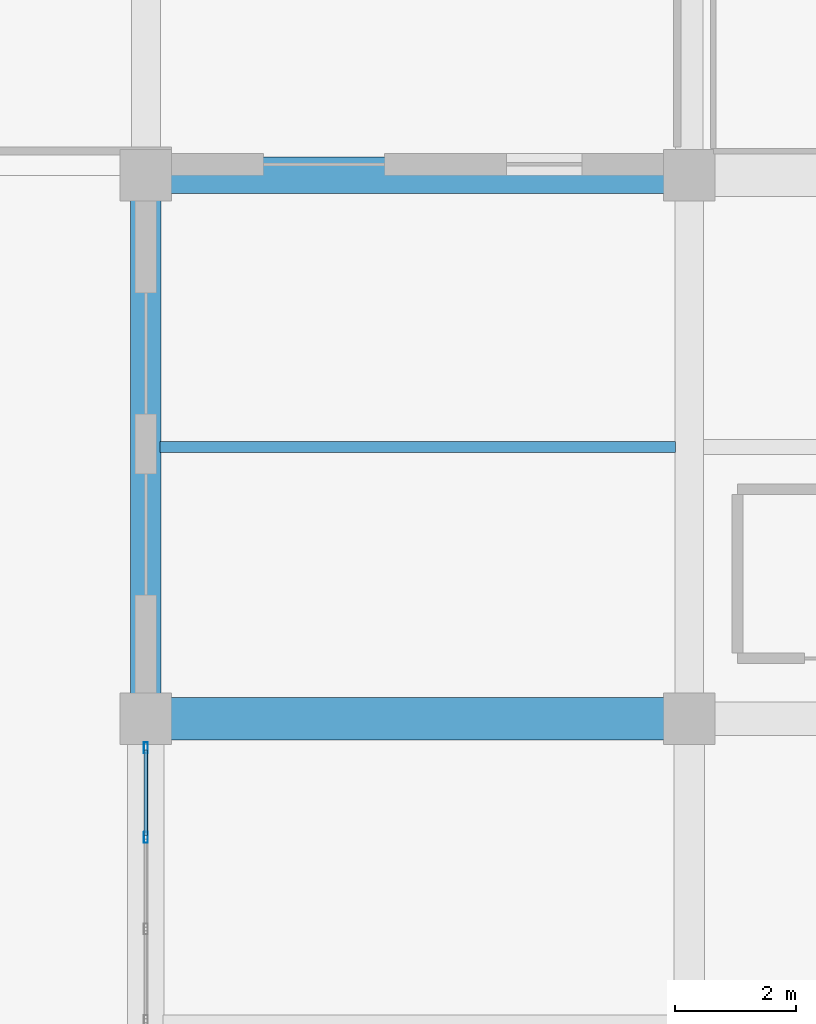
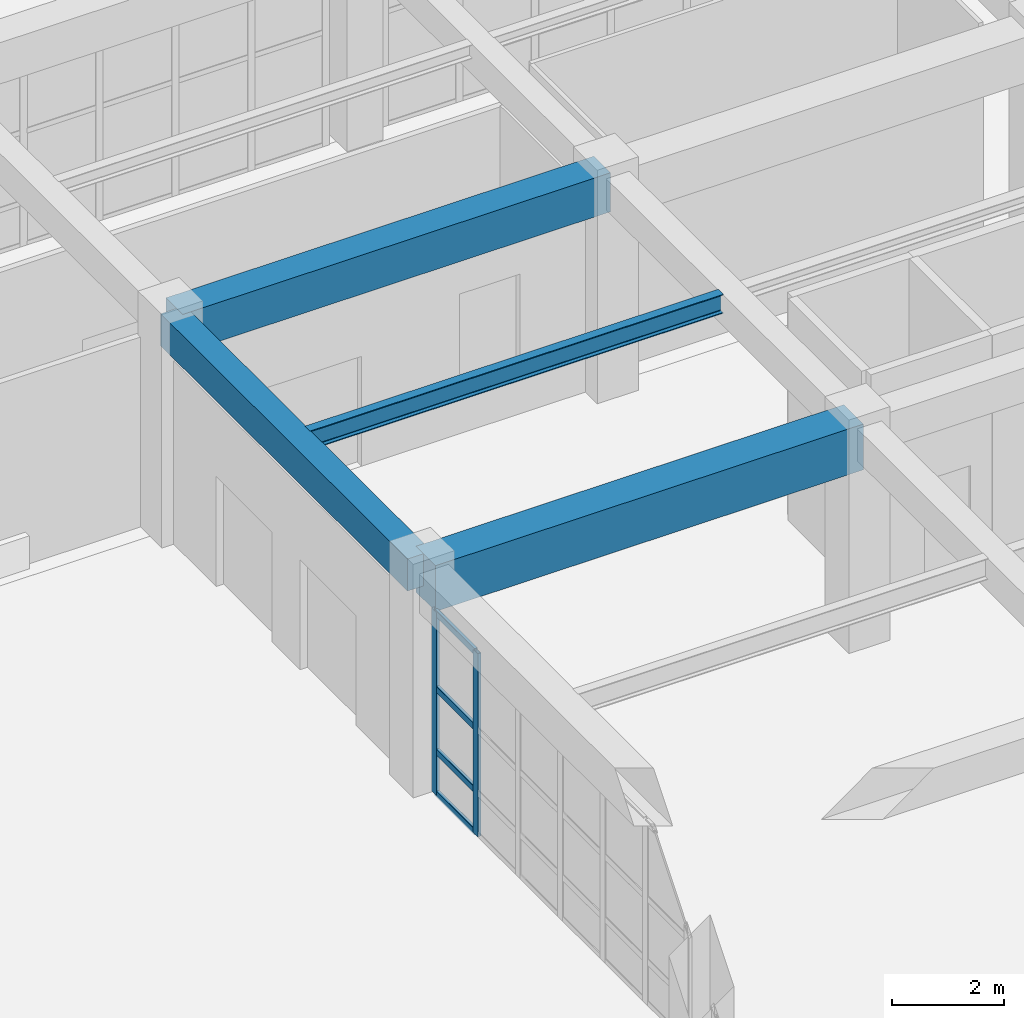
# One storey, part 47 of 128: 6 members, 4 beams, 1 element without a shape of its own.
"""IFC4 building model written with IfcOpenShell, lengths in metres."""

from ifc_helpers import new_model, si_unit, direction, frame, origin, origin_2d, place, context, subcontext, project, spatial, rectangle, hollow_rectangle, i_section, extrude, material, material_profile, profile_set, type_object, element, aggregate, save


model = new_model("IFC4")

# Units and contexts
model_context = context("Model", 3, precision=1e-05, world=origin(), true_north=direction((0.0, 1.0)))
body_context = subcontext(model_context, "Body", "Model", "MODEL_VIEW")
ifc_project = project(units=[si_unit("LENGTHUNIT", "METRE"), si_unit("AREAUNIT", "SQUARE_METRE"), si_unit("VOLUMEUNIT", "CUBIC_METRE"), si_unit("PLANEANGLEUNIT", "RADIAN"), si_unit("MASSUNIT", "GRAM", prefix="KILO")], contexts=[model_context])

# Site, building, storey
site_placement = place(None, origin())
site = spatial("IfcSite", under=ifc_project, at=site_placement, CompositionType="ELEMENT")
building_placement = place(site_placement, origin())
building = spatial("IfcBuilding", under=site, at=building_placement, Name="Miravela Opera House", CompositionType="ELEMENT")
storey_placement = place(building_placement, origin())
storey = spatial("IfcBuildingStorey", under=building, at=storey_placement, Name="L00", CompositionType="ELEMENT", Elevation=0.0)

# Curtain wall, members
ifc_material_1 = material(Name="Anodised architectural bronze aluminium 6063-T6", Category="aluminium")
curtain_wall_type = type_object("IfcCurtainWallType", Name="ARC-CW-01", PredefinedType="NOTDEFINED", material=ifc_material_1)
curtain_wall_placement = place(storey_placement, origin())
curtain_wall = element("IfcCurtainWall", 1, at=curtain_wall_placement, inside=storey, type_object=curtain_wall_type, Name="West Foyer Recessed Glazing North CW-L00-002", PredefinedType="NOTDEFINED")
ifc_material_profile_1 = material_profile(ifc_material_1, hollow_rectangle(XDim=0.06494140625, YDim=0.179931640625, WallThickness=0.00390625, InnerFilletRadius=0.001953125, OuterFilletRadius=0.00390625, at=origin_2d()), Name="CWM-65X180")
ifc_profile_set_1 = profile_set([ifc_material_profile_1])
member_type_1 = type_object("IfcMemberType", Name="ARC-CWM-180", PredefinedType="MULLION", material=ifc_profile_set_1)
member_1_placement = place(storey_placement, frame((27.0, 64.033447265625, 0.0), z_axis=(0.0, 0.0, 1.0), x_axis=(-1.0, 0.0, 0.0)))
member_1 = element("IfcMember", 2, at=member_1_placement, type_object=member_type_1, Name="CW-01 mullion 6", PredefinedType="MULLION", context=body_context, shape_type="SweptSolid", body=[
    extrude(hollow_rectangle(XDim=0.06494140625, YDim=0.179931640625, WallThickness=0.00390625, InnerFilletRadius=0.001953125, OuterFilletRadius=0.00390625, at=origin_2d()), origin(), (0.0, 0.0, 1.0), 4.0),
])
member_2_placement = place(storey_placement, frame((27.0, 65.517578125, 0.0), z_axis=(0.0, 0.0, 1.0), x_axis=(-1.0, 0.0, 0.0)))
member_2 = element("IfcMember", 3, at=member_2_placement, type_object=member_type_1, Name="CW-01 mullion 7", PredefinedType="MULLION", context=body_context, shape_type="SweptSolid", body=[
    extrude(hollow_rectangle(XDim=0.06494140625, YDim=0.179931640625, WallThickness=0.00390625, InnerFilletRadius=0.001953125, OuterFilletRadius=0.00390625, at=origin_2d()), origin(), (0.0, 0.0, 1.0), 4.0),
])
ifc_material_profile_2 = material_profile(ifc_material_1, hollow_rectangle(XDim=0.06494140625, YDim=0.139892578125, WallThickness=0.00390625, InnerFilletRadius=0.001953125, OuterFilletRadius=0.00390625, at=origin_2d()), Name="CWT-65X140")
ifc_profile_set_2 = profile_set([ifc_material_profile_2])
member_type_2 = type_object("IfcMemberType", Name="ARC-CWT-140", PredefinedType="USERDEFINED", material=ifc_profile_set_2)
member_3_placement = place(storey_placement, frame((27.0, 64.06591796875, 0.032470703125), z_axis=(0.0, 1.0, 0.0), x_axis=(-1.0, 0.0, 0.0)))
member_3 = element("IfcMember", 4, at=member_3_placement, type_object=member_type_2, Name="CW-01 transom 6.1", ObjectType="TRANSOM", PredefinedType="USERDEFINED", context=body_context, shape_type="SweptSolid", body=[
    extrude(hollow_rectangle(XDim=0.06494140625, YDim=0.139892578125, WallThickness=0.00390625, InnerFilletRadius=0.001953125, OuterFilletRadius=0.00390625, at=origin_2d()), origin(), (0.0, 0.0, 1.0), 1.419189453125),
])
member_4_placement = place(storey_placement, frame((27.0, 64.06591796875, 0.949951171875), z_axis=(0.0, 1.0, 0.0), x_axis=(-1.0, 0.0, 0.0)))
member_4 = element("IfcMember", 5, at=member_4_placement, type_object=member_type_2, Name="CW-01 transom 6.2", ObjectType="TRANSOM", PredefinedType="USERDEFINED", context=body_context, shape_type="SweptSolid", body=[
    extrude(hollow_rectangle(XDim=0.06494140625, YDim=0.139892578125, WallThickness=0.00390625, InnerFilletRadius=0.001953125, OuterFilletRadius=0.00390625, at=origin_2d()), origin(), (0.0, 0.0, 1.0), 1.419189453125),
])
member_5_placement = place(storey_placement, frame((27.0, 64.06591796875, 2.320068359375), z_axis=(0.0, 1.0, 0.0), x_axis=(-1.0, 0.0, 0.0)))
member_5 = element("IfcMember", 6, at=member_5_placement, type_object=member_type_2, Name="CW-01 transom 6.3", ObjectType="TRANSOM", PredefinedType="USERDEFINED", context=body_context, shape_type="SweptSolid", body=[
    extrude(hollow_rectangle(XDim=0.06494140625, YDim=0.139892578125, WallThickness=0.00390625, InnerFilletRadius=0.001953125, OuterFilletRadius=0.00390625, at=origin_2d()), origin(), (0.0, 0.0, 1.0), 1.419189453125),
])
member_6_placement = place(storey_placement, frame((27.0, 64.06591796875, 3.967529296875), z_axis=(0.0, 1.0, 0.0), x_axis=(-1.0, 0.0, 0.0)))
member_6 = element("IfcMember", 7, at=member_6_placement, type_object=member_type_2, Name="CW-01 transom 6.4", ObjectType="TRANSOM", PredefinedType="USERDEFINED", context=body_context, shape_type="SweptSolid", body=[
    extrude(hollow_rectangle(XDim=0.06494140625, YDim=0.139892578125, WallThickness=0.00390625, InnerFilletRadius=0.001953125, OuterFilletRadius=0.00390625, at=origin_2d()), origin(), (0.0, 0.0, 1.0), 1.419189453125),
])
aggregate(curtain_wall, [member_1, member_2, member_3, member_4, member_5, member_6])

# Beams
ifc_material_2 = material(Name="Concrete C35/45", Category="concrete")
ifc_material_profile_3 = material_profile(ifc_material_2, rectangle(XDim=0.5, YDim=0.699951171875, at=origin_2d()), Name="RC-BM-500X700")
ifc_profile_set_3 = profile_set([ifc_material_profile_3])
beam_type_1 = type_object("IfcBeamType", Name="STR-BM-RC500X700", PredefinedType="BEAM", material=ifc_profile_set_3)
beam_1_placement = place(storey_placement, frame((27.0, 66.080078125, 4.5), z_axis=(0.0, 1.0, 0.0), x_axis=(-1.0, 0.0, 0.0)))
element("IfcBeam", 8, at=beam_1_placement, inside=storey, type_object=beam_type_1, Name="Floor Girder L00 4/H-I", PredefinedType="BEAM", context=body_context, shape_type="SweptSolid", body=[
    extrude(rectangle(XDim=0.5, YDim=0.699951171875, at=origin_2d()), origin(), (0.0, 0.0, 1.0), 8.83984375),
])
ifc_material_3 = material(Name="Concrete C40/50", Category="concrete")
ifc_material_profile_4 = material_profile(ifc_material_3, rectangle(XDim=0.60009765625, YDim=0.85009765625, at=origin_2d()), Name="RC-BM-600X850")
ifc_profile_set_4 = profile_set([ifc_material_profile_4])
beam_type_2 = type_object("IfcBeamType", Name="STR-BM-RC600X850", PredefinedType="BEAM", material=ifc_profile_set_4)
beam_2_placement = place(storey_placement, frame((27.080078125, 75.0, 4.425048828125), z_axis=(1.0, 0.0, 0.0), x_axis=(0.0, 1.0, 0.0)))
element("IfcBeam", 9, at=beam_2_placement, inside=storey, type_object=beam_type_2, Name="Floor Girder L00 4-5/I", PredefinedType="BEAM", context=body_context, shape_type="SweptSolid", body=[
    extrude(rectangle(XDim=0.60009765625, YDim=0.85009765625, at=origin_2d()), origin(), (0.0, 0.0, 1.0), 8.83984375),
])
ifc_material_profile_5 = material_profile(ifc_material_3, rectangle(XDim=0.699951171875, YDim=1.0, at=origin_2d()), Name="RC-BM-700X1000")
ifc_profile_set_5 = profile_set([ifc_material_profile_5])
beam_type_3 = type_object("IfcBeamType", Name="STR-BM-RC700X1000", PredefinedType="BEAM", material=ifc_profile_set_5)
beam_3_placement = place(storey_placement, frame((27.080078125, 66.0, 4.35009765625), z_axis=(1.0, 0.0, 0.0), x_axis=(0.0, 1.0, 0.0)))
element("IfcBeam", 10, at=beam_3_placement, inside=storey, type_object=beam_type_3, Name="Floor Girder L00 4-5/H", PredefinedType="BEAM", context=body_context, shape_type="SweptSolid", body=[
    extrude(rectangle(XDim=0.699951171875, YDim=1.0, at=origin_2d()), origin(), (0.0, 0.0, 1.0), 8.83984375),
])
ifc_material_4 = material(Name="Structural steel ASTM A992 Gr. 50", Category="steel")
ifc_material_profile_6 = material_profile(ifc_material_4, i_section(OverallWidth=0.180908203125, OverallDepth=0.4169921875, WebThickness=0.010986328125, FlangeThickness=0.018310546875, FilletRadius=0.013916015625, at=origin_2d()), Name="W410X85")
ifc_profile_set_6 = profile_set([ifc_material_profile_6])
beam_type_4 = type_object("IfcBeamType", Name="STR-BM-W410X85", PredefinedType="JOIST", material=ifc_profile_set_6)
beam_4_placement = place(storey_placement, frame((27.235107421875, 70.5, 4.6416015625), z_axis=(1.0, 0.0, 0.0), x_axis=(0.0, 1.0, 0.0)))
element("IfcBeam", 11, at=beam_4_placement, inside=storey, type_object=beam_type_4, Name="Secondary Floor Joist L00 4-5/H-I", PredefinedType="JOIST", context=body_context, shape_type="SweptSolid", body=[
    extrude(i_section(OverallWidth=0.180908203125, OverallDepth=0.4169921875, WebThickness=0.010986328125, FlangeThickness=0.018310546875, FilletRadius=0.013916015625, at=origin_2d()), origin(), (0.0, 0.0, 1.0), 8.539794921875),
])

save(model, "model.ifc")
